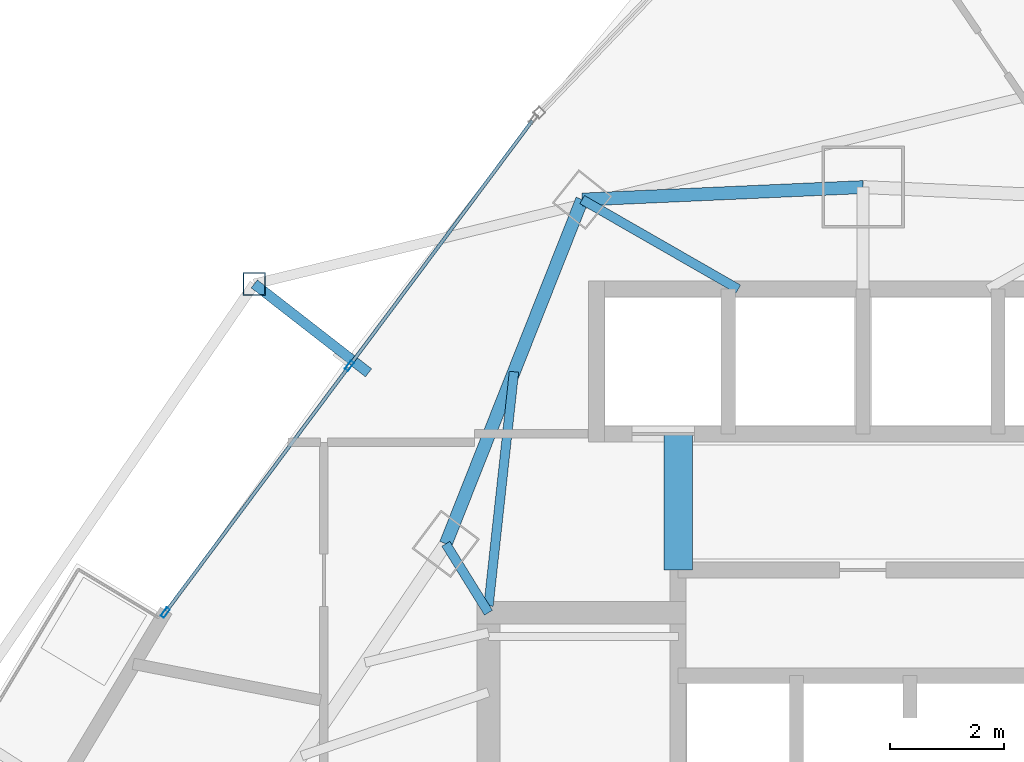
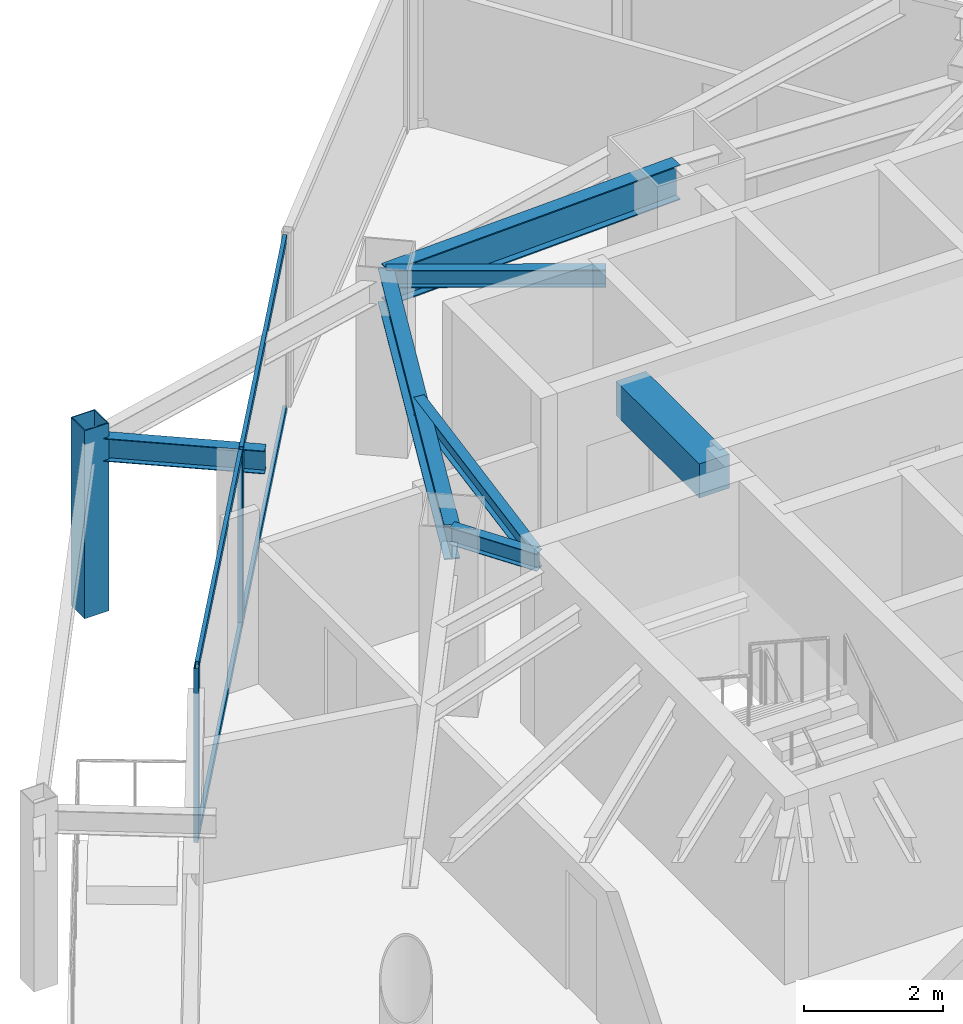
# One storey, part 18 of 29: 7 beams, 7 members, 1 element without a shape of its own.
"""IFC4 building model written with IfcOpenShell, lengths in metres."""

from ifc_helpers import new_model, si_unit, direction, frame, origin, origin_2d, place, context, subcontext, project, spatial, rectangle, hollow_rectangle, i_section, extrude, material, layer, layer_set, material_profile, profile_set, type_object, element, aggregate, save


model = new_model("IFC4")

# Units and contexts
model_context = context("Model", 3, precision=1e-05, world=origin(), true_north=direction((0.0, 1.0)))
body_context = subcontext(model_context, "Body", "Model", "MODEL_VIEW")
ifc_project = project(units=[si_unit("LENGTHUNIT", "METRE"), si_unit("AREAUNIT", "SQUARE_METRE"), si_unit("VOLUMEUNIT", "CUBIC_METRE"), si_unit("PLANEANGLEUNIT", "RADIAN"), si_unit("MASSUNIT", "GRAM", prefix="KILO")], contexts=[model_context])

# Site, building, storey
site_placement = place(None, origin())
site = spatial("IfcSite", under=ifc_project, at=site_placement, CompositionType="ELEMENT")
building_placement = place(site_placement, origin())
building = spatial("IfcBuilding", under=site, at=building_placement, Name="Orvanel Arch Residences", CompositionType="ELEMENT")
storey_placement = place(building_placement, frame((0.0, 0.0, 163.85009765625)))
storey = spatial("IfcBuildingStorey", under=building, at=storey_placement, Name="L46", CompositionType="ELEMENT", Elevation=163.85009765625)

# Beams
ifc_material_1 = material(Name="Structural steel AS/NZS 3679.1 Grade 300 (300 MPa)", Category="steel")
ifc_material_profile_1 = material_profile(ifc_material_1, i_section(OverallWidth=0.1650390625, OverallDepth=0.303955078125, WebThickness=0.006103515625, FlangeThickness=0.01025390625, at=origin_2d()), Name="310UB40.4")
ifc_profile_set_1 = profile_set([ifc_material_profile_1], Name="Structural steel AS/NZS 3679.1 Grade 300 (300 MPa)")
beam_type_1 = type_object("IfcBeamType", Name="BJ-310UB", PredefinedType="JOIST", material=ifc_profile_set_1)
beam_1_placement = place(storey_placement, frame((26.39990234375, 33.89990234375, 2.907958984375), z_axis=(-0.526843290616, 0.84996243866, 0.0), x_axis=(-0.84996243866, -0.526843290616, 0.0)))
element("IfcBeam", 1, at=beam_1_placement, inside=storey, type_object=beam_type_1, Name="L46 NNW Wing Floor Joist", PredefinedType="JOIST", context=body_context, shape_type="SweptSolid", body=[
    extrude(i_section(OverallWidth=0.1650390625, OverallDepth=0.303955078125, WebThickness=0.006103515625, FlangeThickness=0.01025390625, at=origin_2d()), origin(), (0.0, 0.0, 1.0), 1.42724609375),
])
beam_2_placement = place(storey_placement, frame((26.39990234375, 34.02001953125, 2.907958984375), z_axis=(0.108261441852, 0.99412245735, 0.0), x_axis=(-0.99412245735, 0.108261441852, 0.0)))
element("IfcBeam", 2, at=beam_2_placement, inside=storey, type_object=beam_type_1, Name="L46 NNW2 Wing Floor Joist", PredefinedType="JOIST", context=body_context, shape_type="SweptSolid", body=[
    extrude(i_section(OverallWidth=0.1650390625, OverallDepth=0.303955078125, WebThickness=0.006103515625, FlangeThickness=0.01025390625, at=origin_2d()), origin(), (0.0, 0.0, 1.0), 4.1494140625),
])
beam_3_placement = place(storey_placement, frame((30.800048828125, 39.60009765625, 2.907958984375), z_axis=(-0.86736513383, 0.497672306458, 0.0), x_axis=(-0.497672306458, -0.86736513383, 0.0)))
element("IfcBeam", 3, at=beam_3_placement, inside=storey, type_object=beam_type_1, Name="L46 MNW Wing Floor Joist", PredefinedType="JOIST", context=body_context, shape_type="SweptSolid", body=[
    extrude(i_section(OverallWidth=0.1650390625, OverallDepth=0.303955078125, WebThickness=0.006103515625, FlangeThickness=0.01025390625, at=origin_2d()), origin(), (0.0, 0.0, 1.0), 3.17041015625),
])
ifc_material_2 = material(Name="Concrete S65 (65 MPa)", Category="concrete")
ifc_material_profile_2 = material_profile(ifc_material_2, rectangle(XDim=0.5, YDim=0.60009765625, at=origin_2d()), Name="RC500x600")
ifc_profile_set_2 = profile_set([ifc_material_profile_2], Name="Concrete S65 (65 MPa)")
beam_type_2 = type_object("IfcBeamType", Name="CB-500x600", PredefinedType="LINTEL", material=ifc_profile_set_2)
beam_4_placement = place(storey_placement, frame((29.739990234375, 34.64990234375, 2.760009765625), z_axis=(0.0, 1.0, 0.0), x_axis=(-1.0, 0.0, 0.0)))
element("IfcBeam", 4, at=beam_4_placement, inside=storey, type_object=beam_type_2, Name="L46 West Core Lobby Coupling Lintel Beam", PredefinedType="LINTEL", context=body_context, shape_type="SweptSolid", body=[
    extrude(rectangle(XDim=0.5, YDim=0.60009765625, at=origin_2d()), origin(), (0.0, 0.0, 1.0), 2.400146484375),
])

# Curtain wall, members
ifc_material_3 = material(Name="Bronze-anodised aluminium AA6063-T6", Category="aluminium")
ifc_layer = layer(ifc_material_3, 0.179931640625)
ifc_layer_set = layer_set([ifc_layer], Name="Bronze-anodised aluminium AA6063-T6")
curtain_wall_type = type_object("IfcCurtainWallType", Name="CW3-MID-SYS", PredefinedType="NOTDEFINED", material=ifc_layer_set)
curtain_wall_placement = place(storey_placement, origin())
curtain_wall = element("IfcCurtainWall", 5, at=curtain_wall_placement, inside=storey, type_object=curtain_wall_type, Name="L46 CW3-MID-SYS Unitised Curtain Wall", PredefinedType="NOTDEFINED")
ifc_material_profile_3 = material_profile(ifc_material_3, hollow_rectangle(XDim=0.070068359375, YDim=0.179931640625, WallThickness=0.00439453125, at=origin_2d()), Name="ALU180x70x4.5")
ifc_profile_set_3 = profile_set([ifc_material_profile_3], Name="Bronze-anodised aluminium AA6063-T6")
member_type_1 = type_object("IfcMemberType", Name="MUL-180x70", PredefinedType="MULLION", material=ifc_profile_set_3)
member_1_placement = place(storey_placement, frame((23.949462890625, 38.248046875, 0.0), z_axis=(0.0, 0.0, 1.0), x_axis=(0.801448180864, -0.598064221794, 0.0)))
member_1 = element("IfcMember", 6, at=member_1_placement, type_object=member_type_1, Name="CW-S3 mullion 2", PredefinedType="MULLION", context=body_context, shape_type="SweptSolid", body=[
    extrude(hollow_rectangle(XDim=0.070068359375, YDim=0.179931640625, WallThickness=0.00439453125, at=origin_2d()), origin(), (0.0, 0.0, 1.0), 3.059814453125),
])
member_2_placement = place(storey_placement, frame((20.704833984375, 33.900146484375, 0.0), z_axis=(0.0, 0.0, 1.0), x_axis=(0.801448180864, -0.598064221794, 0.0)))
member_2 = element("IfcMember", 7, at=member_2_placement, type_object=member_type_1, Name="CW-S3 mullion 3", PredefinedType="MULLION", context=body_context, shape_type="SweptSolid", body=[
    extrude(hollow_rectangle(XDim=0.070068359375, YDim=0.179931640625, WallThickness=0.00439453125, at=origin_2d()), origin(), (0.0, 0.0, 1.0), 3.059814453125),
])

# Beams
ifc_material_profile_4 = material_profile(ifc_material_1, i_section(OverallWidth=0.177978515625, OverallDepth=0.406005859375, WebThickness=0.0078125, FlangeThickness=0.0126953125, at=origin_2d()), Name="410UB59.7")
ifc_profile_set_4 = profile_set([ifc_material_profile_4], Name="Structural steel AS/NZS 3679.1 Grade 300 (300 MPa)")
beam_type_3 = type_object("IfcBeamType", Name="OB-410UB-EXT", PredefinedType="SPANDREL", material=ifc_profile_set_4)
beam_5_placement = place(storey_placement, frame((24.287109375, 38.1259765625, 2.85693359375), z_axis=(-0.789331599676, 0.613967121068, 0.0), x_axis=(-0.613967121068, -0.789331599676, 0.0)))
element("IfcBeam", 8, at=beam_5_placement, inside=storey, type_object=beam_type_3, Name="L46 Outer Frame Radial Tie Beam 01", PredefinedType="SPANDREL", context=body_context, shape_type="SweptSolid", body=[
    extrude(i_section(OverallWidth=0.177978515625, OverallDepth=0.406005859375, WebThickness=0.0078125, FlangeThickness=0.0126953125, at=origin_2d()), origin(), (0.0, 0.0, 1.0), 2.550537109375),
])
ifc_material_profile_5 = material_profile(ifc_material_1, i_section(OverallWidth=0.22900390625, OverallDepth=0.612060546875, WebThickness=0.011962890625, FlangeThickness=0.01953125, at=origin_2d()), Name="610UB125")
ifc_profile_set_5 = profile_set([ifc_material_profile_5], Name="Structural steel AS/NZS 3679.1 Grade 300 (300 MPa)")
beam_type_4 = type_object("IfcBeamType", Name="SP-610UB", PredefinedType="SPANDREL", material=ifc_profile_set_5)
beam_6_placement = place(storey_placement, frame((33.0, 41.39794921875, 2.75390625), z_axis=(-0.999014049296, -0.044395149614, 0.0), x_axis=(0.044395149614, -0.999014049296, 0.0)))
element("IfcBeam", 9, at=beam_6_placement, inside=storey, type_object=beam_type_4, Name="L46 Perimeter Spandrel Beam 15", PredefinedType="SPANDREL", context=body_context, shape_type="SweptSolid", body=[
    extrude(i_section(OverallWidth=0.22900390625, OverallDepth=0.612060546875, WebThickness=0.011962890625, FlangeThickness=0.01953125, at=origin_2d()), origin(), (0.0, 0.0, 1.0), 4.954833984375),
])
beam_7_placement = place(storey_placement, frame((28.050048828125, 41.177978515625, 2.75390625), z_axis=(-0.368233143579, -0.929733484376, 0.0), x_axis=(0.929733484376, -0.368233143579, 0.0)))
element("IfcBeam", 10, at=beam_7_placement, inside=storey, type_object=beam_type_4, Name="L46 Perimeter Spandrel Beam 16", PredefinedType="SPANDREL", context=body_context, shape_type="SweptSolid", body=[
    extrude(i_section(OverallWidth=0.22900390625, OverallDepth=0.612060546875, WebThickness=0.011962890625, FlangeThickness=0.01953125, at=origin_2d()), origin(), (0.0, 0.0, 1.0), 6.523193359375),
])

# Member
ifc_material_4 = material(Name="Structural steel AS/NZS 1163 C450L0 (Grade 450)", Category="steel")
ifc_material_profile_6 = material_profile(ifc_material_4, hollow_rectangle(XDim=0.39990234375, YDim=0.39990234375, WallThickness=0.01611328125, at=origin_2d()), Name="SHS400x400x16")
ifc_profile_set_6 = profile_set([ifc_material_profile_6], Name="Structural steel AS/NZS 1163 C450L0 (Grade 450)")
member_type_2 = type_object("IfcMemberType", Name="ST-400SHS-EXT", PredefinedType="STRUT", material=ifc_profile_set_6)
member_3_placement = place(storey_placement, frame((22.27392578125, 39.69189453125, 0.0), z_axis=(0.0, 0.0, 1.0), x_axis=(1.0, 0.0, 0.0)))
element("IfcMember", 11, at=member_3_placement, inside=storey, type_object=member_type_2, Name="L46 Outer Perimeter Frame Post 01", PredefinedType="STRUT", context=body_context, shape_type="SweptSolid", body=[
    extrude(hollow_rectangle(XDim=0.39990234375, YDim=0.39990234375, WallThickness=0.01611328125, at=origin_2d()), origin(), (0.0, 0.0, 1.0), 3.2998046875),
])

ifc_material_profile_7 = material_profile(ifc_material_3, hollow_rectangle(XDim=0.06005859375, YDim=0.135009765625, WallThickness=0.00390625, at=origin_2d()), Name="ALU135x60x4")
ifc_profile_set_7 = profile_set([ifc_material_profile_7], Name="Bronze-anodised aluminium AA6063-T6")
member_type_3 = type_object("IfcMemberType", Name="TRN-135x60", PredefinedType="USERDEFINED", material=ifc_profile_set_7)
member_4_placement = place(storey_placement, frame((27.173095703125, 42.56787109375, 0.02978515625), z_axis=(-0.598065182098, -0.801447464256, 0.0), x_axis=(0.801447464256, -0.598065182098, 0.0)))
member_4 = element("IfcMember", 12, at=member_4_placement, type_object=member_type_3, Name="CW-S3 transom 1.1", ObjectType="TRANSOM", PredefinedType="USERDEFINED", context=body_context, shape_type="SweptSolid", body=[
    extrude(hollow_rectangle(XDim=0.06005859375, YDim=0.135009765625, WallThickness=0.00390625, at=origin_2d()), origin(), (0.0, 0.0, 1.0), 5.35498046875),
])

member_5_placement = place(storey_placement, frame((27.173095703125, 42.56787109375, 3.02978515625), z_axis=(-0.598065182098, -0.801447464256, 0.0), x_axis=(0.801447464256, -0.598065182098, 0.0)))
member_5 = element("IfcMember", 13, at=member_5_placement, type_object=member_type_3, Name="CW-S3 transom 1.2", ObjectType="TRANSOM", PredefinedType="USERDEFINED", context=body_context, shape_type="SweptSolid", body=[
    extrude(hollow_rectangle(XDim=0.06005859375, YDim=0.135009765625, WallThickness=0.00390625, at=origin_2d()), origin(), (0.0, 0.0, 1.0), 5.35498046875),
])

member_6_placement = place(storey_placement, frame((23.928466796875, 38.219970703125, 0.02978515625), z_axis=(-0.598065182098, -0.801447464256, 0.0), x_axis=(0.801447464256, -0.598065182098, 0.0)))
member_6 = element("IfcMember", 14, at=member_6_placement, type_object=member_type_3, Name="CW-S3 transom 2.1", ObjectType="TRANSOM", PredefinedType="USERDEFINED", context=body_context, shape_type="SweptSolid", body=[
    extrude(hollow_rectangle(XDim=0.06005859375, YDim=0.135009765625, WallThickness=0.00390625, at=origin_2d()), origin(), (0.0, 0.0, 1.0), 5.35498046875),
])

member_7_placement = place(storey_placement, frame((23.928466796875, 38.219970703125, 3.02978515625), z_axis=(-0.598065182098, -0.801447464256, 0.0), x_axis=(0.801447464256, -0.598065182098, 0.0)))
member_7 = element("IfcMember", 15, at=member_7_placement, type_object=member_type_3, Name="CW-S3 transom 2.2", ObjectType="TRANSOM", PredefinedType="USERDEFINED", context=body_context, shape_type="SweptSolid", body=[
    extrude(hollow_rectangle(XDim=0.06005859375, YDim=0.135009765625, WallThickness=0.00390625, at=origin_2d()), origin(), (0.0, 0.0, 1.0), 5.35498046875),
])

aggregate(curtain_wall, [member_1, member_2, member_4, member_5, member_6, member_7])

save(model, "model.ifc")
